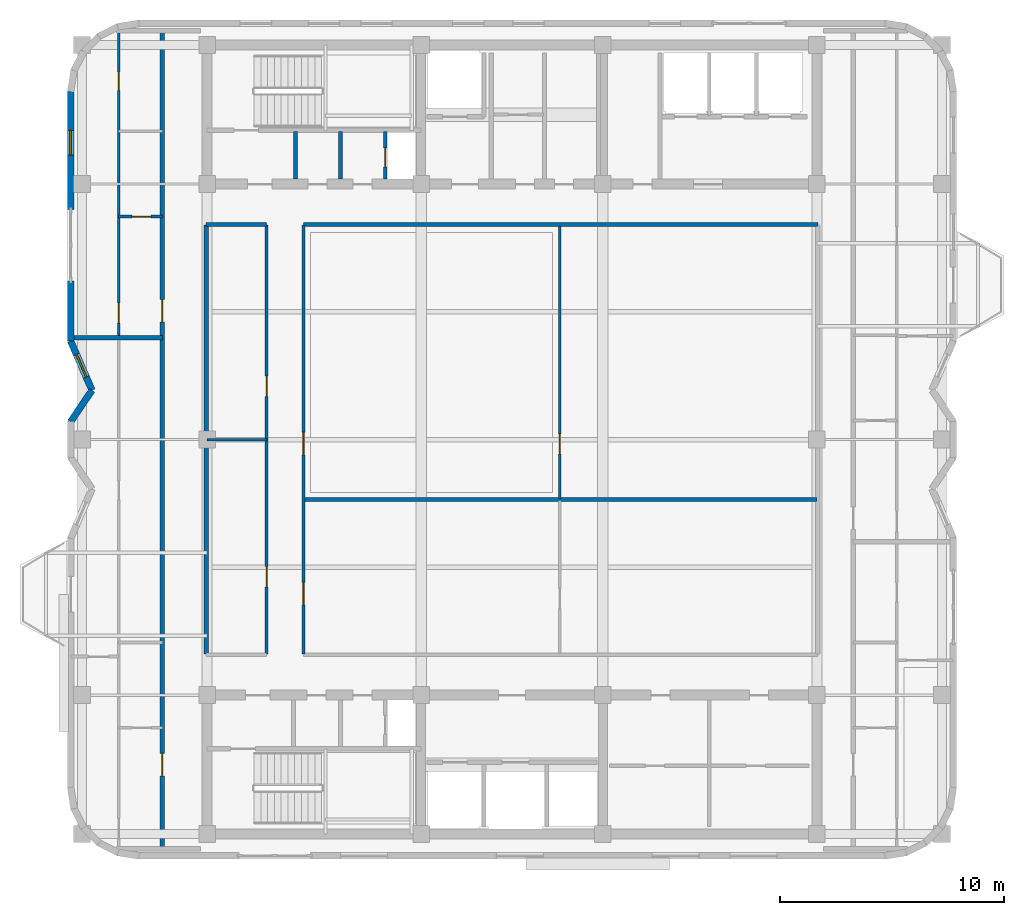
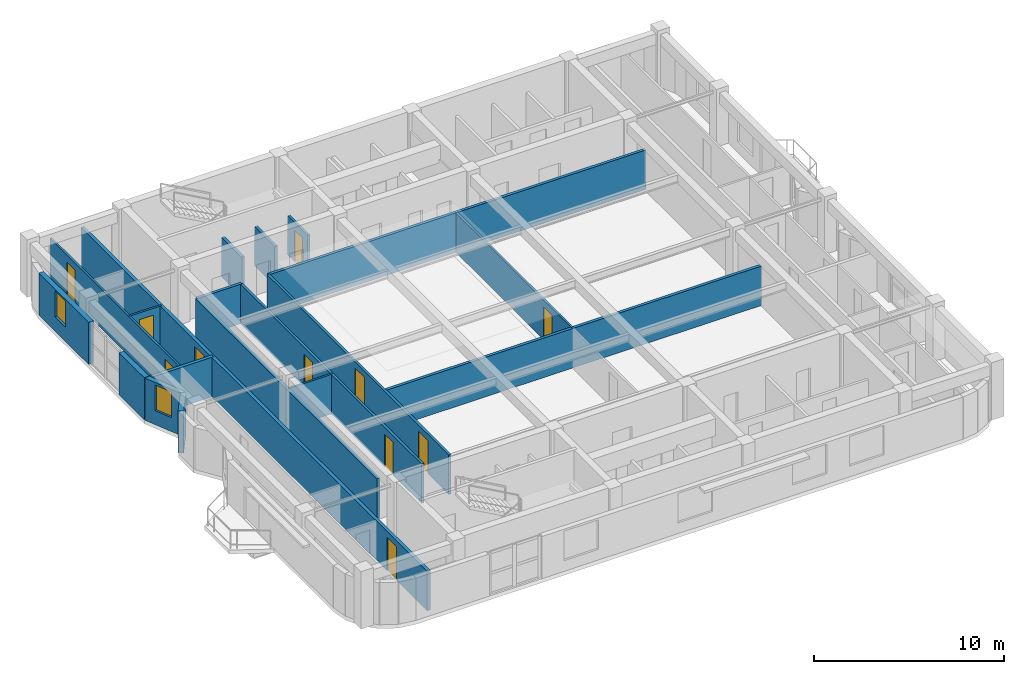
# One storey, part 6 of 11: 19 walls, 11 doors, 2 windows, 13 openings.
"""IFC4 building model written with IfcOpenShell, lengths in metres."""

from ifc_helpers import new_model, si_unit, direction, frame, frame_2d, origin, place, context, subcontext, project, spatial, rectangle, extrude, material, layer, layer_set, type_object, element, fill, save


model = new_model("IFC4")

# Units and contexts
model_context = context("Model", 3, precision=1e-05, world=origin(), true_north=direction((0.0, 1.0)))
body_context = subcontext(model_context, "Body", "Model", "MODEL_VIEW")
ifc_project = project(units=[si_unit("LENGTHUNIT", "METRE"), si_unit("AREAUNIT", "SQUARE_METRE"), si_unit("VOLUMEUNIT", "CUBIC_METRE"), si_unit("PLANEANGLEUNIT", "RADIAN"), si_unit("MASSUNIT", "GRAM", prefix="KILO")], contexts=[model_context])

# Site, building, storey
site_placement = place(None, origin())
site = spatial("IfcSite", under=ifc_project, at=site_placement, CompositionType="ELEMENT")
building_placement = place(site_placement, origin())
building = spatial("IfcBuilding", under=site, at=building_placement, Name="Svetorya Sky Lyceum", CompositionType="ELEMENT")
storey_placement = place(building_placement, frame((0.0, 0.0, 293.5)))
storey = spatial("IfcBuildingStorey", under=building, at=storey_placement, Name="L74", CompositionType="ELEMENT", Elevation=293.5)

# Wall, opening, window
ifc_material_1 = material(Name="Putilovo limestone rainscreen on autoclaved cellular masonry", Category="masonry")
ifc_layer_1 = layer(ifc_material_1, 0.300048828125)
ifc_layer_set_1 = layer_set([ifc_layer_1], Name="Putilovo limestone rainscreen on autoclaved cellular masonry")
wall_type_1 = type_object("IfcWallType", Name="WL-EXT-300", PredefinedType="SOLIDWALL", material=ifc_layer_set_1)
wall_1_placement = place(storey_placement, frame((19.510009765625, 43.719970703125, 0.0), z_axis=(0.0, 0.0, 1.0), x_axis=(0.0, -1.0, 0.0)))
wall_1 = element("IfcWall", 1, at=wall_1_placement, inside=storey, type_object=wall_type_1, Name="L74 Limestone Exterior Wall 30A", PredefinedType="SOLIDWALL", context=body_context, shape_type="SweptSolid", body=[
    extrude(rectangle(XDim=5.25, YDim=0.300048828125, at=frame_2d((2.625, 0.0))), origin(), (0.0, 0.0, 1.0), 2.7099609375),
])
opening_1_placement = place(wall_1_placement, frame((1.72509765625, 0.0, 0.93994140625)))
opening_1 = element("IfcOpeningElement", 2, at=opening_1_placement, cuts=wall_1, Name="Opening W-R3", PredefinedType="OPENING", context=body_context, shape_type="SweptSolid", body=[
    extrude(rectangle(XDim=1.10009765625, YDim=1.64990234375, at=frame_2d((0.550048828125, 0.824951171875))), frame((0.0, 0.159912109375, 0.0), z_axis=(0.0, -1.0, 0.0), x_axis=(1.0, 0.0, 0.0)), (0.0, 0.0, 1.0), 0.320068359375),
])
ifc_material_2 = material(Name="Thermally broken aluminium frame with triple low-E glazing", Category="aluminium")
window_type = type_object("IfcWindowType", Name="WN-RES-110", PartitioningType="SINGLE_PANEL", PredefinedType="WINDOW", material=ifc_material_2)
window_1_placement = place(opening_1_placement, origin())
window_1 = element("IfcWindow", 3, at=window_1_placement, inside=storey, type_object=window_type, Name="L74 Facade Window W-R3.30A.1", OverallHeight=1.64990234375, OverallWidth=1.10009765625, PartitioningType="SINGLE_PANEL", PredefinedType="WINDOW", context=body_context, shape_type="SweptSolid", body=[
    extrude(rectangle(XDim=1.10009765625, YDim=1.64990234375, at=frame_2d((0.550048828125, 0.824951171875))), frame((0.0, 0.030029296875, 0.0), z_axis=(0.0, -1.0, 0.0), x_axis=(1.0, 0.0, 0.0)), (0.0, 0.0, 1.0), 0.06005859375),
])
fill(opening_1, window_1)

# Wall
wall_2_placement = place(storey_placement, frame((19.510009765625, 35.27001953125, 0.0), z_axis=(0.0, 0.0, 1.0), x_axis=(0.0, -1.0, 0.0)))
element("IfcWall", 4, at=wall_2_placement, inside=storey, type_object=wall_type_1, Name="L74 Limestone Exterior Wall 30B", PredefinedType="SOLIDWALL", context=body_context, shape_type="SweptSolid", body=[
    extrude(rectangle(XDim=2.669921875, YDim=0.300048828125, at=frame_2d((1.3349609375, 0.0))), origin(), (0.0, 0.0, 1.0), 2.7099609375),
])

# Wall, opening, window
wall_3_placement = place(storey_placement, frame((19.510009765625, 32.60009765625, 0.0), z_axis=(0.0, 0.0, 1.0), x_axis=(0.396389181543, -0.918082576218, 0.0)))
wall_3 = element("IfcWall", 5, at=wall_3_placement, inside=storey, type_object=wall_type_1, Name="L74 Limestone Exterior Wall 31M", PredefinedType="SOLIDWALL", context=body_context, shape_type="SweptSolid", body=[
    extrude(rectangle(XDim=2.396484375, YDim=0.300048828125, at=frame_2d((1.1982421875, 0.0))), origin(), (0.0, 0.0, 1.0), 2.7099609375),
])
opening_2_placement = place(wall_3_placement, frame((0.648193359375, 0.0, 0.89990234375)))
opening_2 = element("IfcOpeningElement", 6, at=opening_2_placement, cuts=wall_3, Name="Opening W-R3", PredefinedType="OPENING", context=body_context, shape_type="SweptSolid", body=[
    extrude(rectangle(XDim=1.10009765625, YDim=1.64990234375, at=frame_2d((0.550048828125, 0.824951171875))), frame((0.0, 0.159912109375, 0.0), z_axis=(0.0, -1.0, 0.0), x_axis=(1.0, 0.0, 0.0)), (0.0, 0.0, 1.0), 0.320068359375),
])
window_2_placement = place(opening_2_placement, origin())
window_2 = element("IfcWindow", 7, at=window_2_placement, inside=storey, type_object=window_type, Name="L74 Facade Window W-R3.31M.1", OverallHeight=1.64990234375, OverallWidth=1.10009765625, PartitioningType="SINGLE_PANEL", PredefinedType="WINDOW", context=body_context, shape_type="SweptSolid", body=[
    extrude(rectangle(XDim=1.10009765625, YDim=1.64990234375, at=frame_2d((0.550048828125, 0.824951171875))), frame((0.0, 0.030029296875, 0.0), z_axis=(0.0, -1.0, 0.0), x_axis=(1.0, 0.0, 0.0)), (0.0, 0.0, 1.0), 0.06005859375),
])
fill(opening_2, window_2)

# Walls
wall_4_placement = place(storey_placement, frame((20.4599609375, 30.39990234375, 0.0), z_axis=(0.0, 0.0, 1.0), x_axis=(-0.561508476251, -0.827470985049, 0.0)))
element("IfcWall", 8, at=wall_4_placement, inside=storey, type_object=wall_type_1, Name="L74 Limestone Exterior Wall 32M", PredefinedType="SOLIDWALL", context=body_context, shape_type="SweptSolid", body=[
    extrude(rectangle(XDim=1.69189453125, YDim=0.300048828125, at=frame_2d((0.845947265625, 0.0))), origin(), (0.0, 0.0, 1.0), 2.7099609375),
])
ifc_material_3 = material(Name="Twin-stud galvanized framing with double fireboard", Category="gypsum")
ifc_layer_2 = layer(ifc_material_3, 0.1201171875)
ifc_layer_set_2 = layer_set([ifc_layer_2], Name="Twin-stud galvanized framing with double fireboard")
wall_type_2 = type_object("IfcWallType", Name="WL-PART-120", PredefinedType="PARTITIONING", material=ifc_layer_set_2)
wall_5_placement = place(storey_placement, frame((25.60009765625, 28.199951171875, 0.0), z_axis=(0.0, 0.0, 1.0), x_axis=(1.0, 0.0, 0.0)))
element("IfcWall", 9, at=wall_5_placement, inside=storey, type_object=wall_type_2, Name="L74 Interior Partition OFF-HW", PredefinedType="PARTITIONING", context=body_context, shape_type="SweptSolid", body=[
    extrude(rectangle(XDim=2.659912109375, YDim=0.1201171875, at=frame_2d((1.330078125, 0.0))), origin(), (0.0, 0.0, 1.0), 2.5400390625),
])

# Wall, opening, door
wall_6_placement = place(storey_placement, frame((41.3349609375, 25.560302734375, 0.0), z_axis=(0.0, 0.0, 1.0), x_axis=(0.0, 1.0, 0.0)))
wall_6 = element("IfcWall", 10, at=wall_6_placement, inside=storey, type_object=wall_type_2, Name="L74 Interior Partition OFF-VEM2", PredefinedType="PARTITIONING", context=body_context, shape_type="SweptSolid", body=[
    extrude(rectangle(XDim=12.1796875, YDim=0.1201171875, at=frame_2d((6.08984375, 0.0))), origin(), (0.0, 0.0, 1.0), 2.5400390625),
])
opening_3_placement = place(wall_6_placement, frame((2.0, 0.0, 0.0)))
opening_3 = element("IfcOpeningElement", 11, at=opening_3_placement, cuts=wall_6, Name="Opening D-RM1", PredefinedType="OPENING", context=body_context, shape_type="SweptSolid", body=[
    extrude(rectangle(XDim=0.89990234375, YDim=2.10009765625, at=frame_2d((0.449951171875, 1.050048828125))), frame((0.0, 0.070068359375, 0.0), z_axis=(0.0, -1.0, 0.0), x_axis=(1.0, 0.0, 0.0)), (0.0, 0.0, 1.0), 0.14013671875),
])
ifc_material_4 = material(Name="Lacquered birch veneer internal door")
door_type_1 = type_object("IfcDoorType", Name="DR-INT-900", OperationType="SINGLE_SWING_LEFT", PredefinedType="DOOR", material=ifc_material_4)
door_1_placement = place(opening_3_placement, origin())
door_1 = element("IfcDoor", 12, at=door_1_placement, inside=storey, type_object=door_type_1, Name="L74 East Focus Door", OperationType="SINGLE_SWING_RIGHT", OverallHeight=2.10009765625, OverallWidth=0.89990234375, PredefinedType="DOOR", context=body_context, shape_type="SweptSolid", body=[
    extrude(rectangle(XDim=0.89990234375, YDim=2.10009765625, at=frame_2d((0.449951171875, 1.050048828125))), frame((0.0, 0.02490234375, 0.0), z_axis=(0.0, -1.0, 0.0), x_axis=(1.0, 0.0, 0.0)), (0.0, 0.0, 1.0), 0.050048828125),
])
fill(opening_3, door_1)

wall_7_placement = place(storey_placement, frame((21.64990234375, 38.14990234375, 0.0), z_axis=(0.0, 0.0, 1.0), x_axis=(1.0, 0.0, 0.0)))
wall_7 = element("IfcWall", 13, at=wall_7_placement, inside=storey, type_object=wall_type_2, Name="L74 Interior Partition W2-WH1", PredefinedType="PARTITIONING", context=body_context, shape_type="SweptSolid", body=[
    extrude(rectangle(XDim=1.9501953125, YDim=0.1201171875, at=frame_2d((0.97509765625, 0.0))), origin(), (0.0, 0.0, 1.0), 2.5400390625),
])
opening_4_placement = place(wall_7_placement, frame((0.60009765625, 0.0, 0.0)))
opening_4 = element("IfcOpeningElement", 14, at=opening_4_placement, cuts=wall_7, Name="Opening D-BT1", PredefinedType="OPENING", context=body_context, shape_type="SweptSolid", body=[
    extrude(rectangle(XDim=0.85009765625, YDim=2.10009765625, at=frame_2d((0.425048828125, 1.050048828125))), frame((0.0, 0.070068359375, 0.0), z_axis=(0.0, -1.0, 0.0), x_axis=(1.0, 0.0, 0.0)), (0.0, 0.0, 1.0), 0.14013671875),
])
ifc_material_5 = material(Name="Moisture-resistant laminate bathroom door")
door_type_2 = type_object("IfcDoorType", Name="DR-WET-850", OperationType="SINGLE_SWING_LEFT", PredefinedType="DOOR", material=ifc_material_5)
door_2_placement = place(opening_4_placement, origin())
door_2 = element("IfcDoor", 15, at=door_2_placement, inside=storey, type_object=door_type_2, Name="Apartment W2 Bathroom Door", OperationType="SINGLE_SWING_RIGHT", OverallHeight=2.10009765625, OverallWidth=0.85009765625, PredefinedType="DOOR", context=body_context, shape_type="SweptSolid", body=[
    extrude(rectangle(XDim=0.85009765625, YDim=2.10009765625, at=frame_2d((0.425048828125, 1.050048828125))), frame((0.0, 0.02490234375, 0.0), z_axis=(0.0, -1.0, 0.0), x_axis=(1.0, 0.0, 0.0)), (0.0, 0.0, 1.0), 0.050048828125),
])
fill(opening_4, door_2)

# Wall, openings, doors
wall_8_placement = place(storey_placement, frame((21.64990234375, 32.7900390625, 0.0), z_axis=(0.0, 0.0, 1.0), x_axis=(0.0, 1.0, 0.0)))
wall_8 = element("IfcWall", 16, at=wall_8_placement, inside=storey, type_object=wall_type_2, Name="L74 Interior Partition W2-WV", PredefinedType="PARTITIONING", context=body_context, shape_type="SweptSolid", body=[
    extrude(rectangle(XDim=13.619873046875, YDim=0.1201171875, at=frame_2d((6.81005859375, 0.0))), origin(), (0.0, 0.0, 1.0), 2.5400390625),
])
opening_5_placement = place(wall_8_placement, frame((0.610107421875, 0.0, 0.0)))
opening_5 = element("IfcOpeningElement", 17, at=opening_5_placement, cuts=wall_8, Name="Opening D-RM1", PredefinedType="OPENING", context=body_context, shape_type="SweptSolid", body=[
    extrude(rectangle(XDim=0.89990234375, YDim=2.10009765625, at=frame_2d((0.449951171875, 1.050048828125))), frame((0.0, 0.070068359375, 0.0), z_axis=(0.0, -1.0, 0.0), x_axis=(1.0, 0.0, 0.0)), (0.0, 0.0, 1.0), 0.14013671875),
])
opening_6_placement = place(wall_8_placement, frame((10.985107421875, 0.0, 0.0)))
opening_6 = element("IfcOpeningElement", 18, at=opening_6_placement, cuts=wall_8, Name="Opening D-BT2", PredefinedType="OPENING", context=body_context, shape_type="SweptSolid", body=[
    extrude(rectangle(XDim=0.820068359375, YDim=2.080078125, at=frame_2d((0.41015625, 1.0400390625))), frame((0.0, 0.070068359375, 0.0), z_axis=(0.0, -1.0, 0.0), x_axis=(1.0, 0.0, 0.0)), (0.0, 0.0, 1.0), 0.14013671875),
])
door_3_placement = place(opening_5_placement, origin())
door_3 = element("IfcDoor", 19, at=door_3_placement, inside=storey, type_object=door_type_1, Name="Apartment W2 Living Door", OperationType="SINGLE_SWING_LEFT", OverallHeight=2.10009765625, OverallWidth=0.89990234375, PredefinedType="DOOR", context=body_context, shape_type="SweptSolid", body=[
    extrude(rectangle(XDim=0.89990234375, YDim=2.10009765625, at=frame_2d((0.449951171875, 1.050048828125))), frame((0.0, 0.02490234375, 0.0), z_axis=(0.0, -1.0, 0.0), x_axis=(1.0, 0.0, 0.0)), (0.0, 0.0, 1.0), 0.050048828125),
])
fill(opening_5, door_3)
ifc_material_6 = material(Name="Compact moisture-resistant laminate closet door")
door_type_3 = type_object("IfcDoorType", Name="DR-WET-820", OperationType="SINGLE_SWING_LEFT", PredefinedType="DOOR", material=ifc_material_6)
door_4_placement = place(opening_6_placement, origin())
door_4 = element("IfcDoor", 20, at=door_4_placement, inside=storey, type_object=door_type_3, Name="Apartment W2 Study Door", OperationType="SINGLE_SWING_RIGHT", OverallHeight=2.080078125, OverallWidth=0.820068359375, PredefinedType="DOOR", context=body_context, shape_type="SweptSolid", body=[
    extrude(rectangle(XDim=0.820068359375, YDim=2.080078125, at=frame_2d((0.41015625, 1.0400390625))), frame((0.0, 0.02490234375, 0.0), z_axis=(0.0, -1.0, 0.0), x_axis=(1.0, 0.0, 0.0)), (0.0, 0.0, 1.0), 0.050048828125),
])
fill(opening_6, door_4)

# Wall, opening, door
ifc_material_7 = material(Name="Autoclaved cellular masonry blockwork with acoustic render", Category="masonry")
ifc_layer_3 = layer(ifc_material_7, 0.14990234375)
ifc_layer_set_3 = layer_set([ifc_layer_3], Name="Autoclaved cellular masonry blockwork with acoustic render")
wall_type_3 = type_object("IfcWallType", Name="WL-PART-150", PredefinedType="PARTITIONING", material=ifc_layer_set_3)
wall_9_placement = place(storey_placement, frame((33.550048828125, 39.820068359375, 0.0), z_axis=(0.0, 0.0, 1.0), x_axis=(0.0, 1.0, 0.0)))
wall_9 = element("IfcWall", 21, at=wall_9_placement, inside=storey, type_object=wall_type_3, Name="L74 Interior Partition NC-RSRW", PredefinedType="PARTITIONING", context=body_context, shape_type="SweptSolid", body=[
    extrude(rectangle(XDim=2.1298828125, YDim=0.14990234375, at=frame_2d((1.06494140625, 0.0))), origin(), (0.0, 0.0, 1.0), 2.5400390625),
])
opening_7_placement = place(wall_9_placement, frame((0.550048828125, 0.0, 0.0)))
opening_7 = element("IfcOpeningElement", 22, at=opening_7_placement, cuts=wall_9, Name="Opening D-SH1", PredefinedType="OPENING", context=body_context, shape_type="SweptSolid", body=[
    extrude(rectangle(XDim=0.85009765625, YDim=2.050048828125, at=frame_2d((0.425048828125, 1.02490234375))), frame((0.0, 0.0849609375, 0.0), z_axis=(0.0, -1.0, 0.0), x_axis=(1.0, 0.0, 0.0)), (0.0, 0.0, 1.0), 0.169921875),
])
ifc_material_8 = material(Name="Insulated galvanized riser inspection fire door")
door_type_4 = type_object("IfcDoorType", Name="DR-SHFT-850", OperationType="SINGLE_SWING_LEFT", PredefinedType="TRAPDOOR", material=ifc_material_8)
door_5_placement = place(opening_7_placement, origin())
door_5 = element("IfcDoor", 23, at=door_5_placement, inside=storey, type_object=door_type_4, Name="L74 North Riser Access Door", OperationType="SINGLE_SWING_LEFT", OverallHeight=2.050048828125, OverallWidth=0.85009765625, PredefinedType="TRAPDOOR", context=body_context, shape_type="SweptSolid", body=[
    extrude(rectangle(XDim=0.85009765625, YDim=2.050048828125, at=frame_2d((0.425048828125, 1.02490234375))), frame((0.0, 0.02490234375, 0.0), z_axis=(0.0, -1.0, 0.0), x_axis=(1.0, 0.0, 0.0)), (0.0, 0.0, 1.0), 0.050048828125),
])
fill(opening_7, door_5)

# Wall, openings, doors
wall_10_placement = place(storey_placement, frame((28.25, 18.6298828125, 0.0), z_axis=(0.0, 0.0, 1.0), x_axis=(0.0, 1.0, 0.0)))
wall_10 = element("IfcWall", 24, at=wall_10_placement, inside=storey, type_object=wall_type_3, Name="L74 Interior Partition OFF-VW", PredefinedType="PARTITIONING", context=body_context, shape_type="SweptSolid", body=[
    extrude(rectangle(XDim=19.14013671875, YDim=0.14990234375, at=frame_2d((9.570068359375, 0.0))), origin(), (0.0, 0.0, 1.0), 2.5400390625),
])
opening_8_placement = place(wall_10_placement, frame((3.0, 0.0, 0.0)))
opening_8 = element("IfcOpeningElement", 25, at=opening_8_placement, cuts=wall_10, Name="Opening D-RM1", PredefinedType="OPENING", context=body_context, shape_type="SweptSolid", body=[
    extrude(rectangle(XDim=0.89990234375, YDim=2.10009765625, at=frame_2d((0.449951171875, 1.050048828125))), frame((0.0, 0.0849609375, 0.0), z_axis=(0.0, -1.0, 0.0), x_axis=(1.0, 0.0, 0.0)), (0.0, 0.0, 1.0), 0.169921875),
])
opening_9_placement = place(wall_10_placement, frame((11.5, 0.0, 0.0)))
opening_9 = element("IfcOpeningElement", 26, at=opening_9_placement, cuts=wall_10, Name="Opening D-RM1", PredefinedType="OPENING", context=body_context, shape_type="SweptSolid", body=[
    extrude(rectangle(XDim=0.89990234375, YDim=2.10009765625, at=frame_2d((0.449951171875, 1.050048828125))), frame((0.0, 0.0849609375, 0.0), z_axis=(0.0, -1.0, 0.0), x_axis=(1.0, 0.0, 0.0)), (0.0, 0.0, 1.0), 0.169921875),
])
door_6_placement = place(opening_8_placement, origin())
door_6 = element("IfcDoor", 27, at=door_6_placement, inside=storey, type_object=door_type_1, Name="L74 Study Door", OperationType="SINGLE_SWING_LEFT", OverallHeight=2.10009765625, OverallWidth=0.89990234375, PredefinedType="DOOR", context=body_context, shape_type="SweptSolid", body=[
    extrude(rectangle(XDim=0.89990234375, YDim=2.10009765625, at=frame_2d((0.449951171875, 1.050048828125))), frame((0.0, 0.02490234375, 0.0), z_axis=(0.0, -1.0, 0.0), x_axis=(1.0, 0.0, 0.0)), (0.0, 0.0, 1.0), 0.050048828125),
])
fill(opening_8, door_6)
door_7_placement = place(opening_9_placement, origin())
door_7 = element("IfcDoor", 28, at=door_7_placement, inside=storey, type_object=door_type_1, Name="L74 Focus Door", OperationType="SINGLE_SWING_RIGHT", OverallHeight=2.10009765625, OverallWidth=0.89990234375, PredefinedType="DOOR", context=body_context, shape_type="SweptSolid", body=[
    extrude(rectangle(XDim=0.89990234375, YDim=2.10009765625, at=frame_2d((0.449951171875, 1.050048828125))), frame((0.0, 0.02490234375, 0.0), z_axis=(0.0, -1.0, 0.0), x_axis=(1.0, 0.0, 0.0)), (0.0, 0.0, 1.0), 0.050048828125),
])
fill(opening_9, door_7)

wall_11_placement = place(storey_placement, frame((29.89990234375, 18.6298828125, 0.0), z_axis=(0.0, 0.0, 1.0), x_axis=(0.0, 1.0, 0.0)))
wall_11 = element("IfcWall", 29, at=wall_11_placement, inside=storey, type_object=wall_type_3, Name="L74 Interior Partition OFF-VE", PredefinedType="PARTITIONING", context=body_context, shape_type="SweptSolid", body=[
    extrude(rectangle(XDim=19.14013671875, YDim=0.14990234375, at=frame_2d((9.570068359375, 0.0))), origin(), (0.0, 0.0, 1.0), 2.5400390625),
])
opening_10_placement = place(wall_11_placement, frame((2.199951171875, 0.0, 0.0)))
opening_10 = element("IfcOpeningElement", 30, at=opening_10_placement, cuts=wall_11, Name="Opening D-RM2", PredefinedType="OPENING", context=body_context, shape_type="SweptSolid", body=[
    extrude(rectangle(XDim=1.0, YDim=2.14990234375, at=frame_2d((0.5, 1.074951171875))), frame((0.0, 0.0849609375, 0.0), z_axis=(0.0, -1.0, 0.0), x_axis=(1.0, 0.0, 0.0)), (0.0, 0.0, 1.0), 0.169921875),
])
opening_11_placement = place(wall_11_placement, frame((8.890380859375, 0.0, 0.0)))
opening_11 = element("IfcOpeningElement", 31, at=opening_11_placement, cuts=wall_11, Name="Opening D-RM2", PredefinedType="OPENING", context=body_context, shape_type="SweptSolid", body=[
    extrude(rectangle(XDim=1.0, YDim=2.14990234375, at=frame_2d((0.5, 1.074951171875))), frame((0.0, 0.0849609375, 0.0), z_axis=(0.0, -1.0, 0.0), x_axis=(1.0, 0.0, 0.0)), (0.0, 0.0, 1.0), 0.169921875),
])
ifc_material_9 = material(Name="Solid-core oak acoustic room door")
door_type_5 = type_object("IfcDoorType", Name="DR-INT-1000", OperationType="SINGLE_SWING_LEFT", PredefinedType="DOOR", material=ifc_material_9)
door_8_placement = place(opening_10_placement, origin())
door_8 = element("IfcDoor", 32, at=door_8_placement, inside=storey, type_object=door_type_5, Name="L74 Meeting Door", OperationType="SINGLE_SWING_RIGHT", OverallHeight=2.14990234375, OverallWidth=1.0, PredefinedType="DOOR", context=body_context, shape_type="SweptSolid", body=[
    extrude(rectangle(XDim=1.0, YDim=2.14990234375, at=frame_2d((0.5, 1.074951171875))), frame((0.0, 0.02490234375, 0.0), z_axis=(0.0, -1.0, 0.0), x_axis=(1.0, 0.0, 0.0)), (0.0, 0.0, 1.0), 0.050048828125),
])
fill(opening_10, door_8)
door_9_placement = place(opening_11_placement, origin())
door_9 = element("IfcDoor", 33, at=door_9_placement, inside=storey, type_object=door_type_5, Name="L74 North Room Door", OperationType="SINGLE_SWING_LEFT", OverallHeight=2.14990234375, OverallWidth=1.0, PredefinedType="DOOR", context=body_context, shape_type="SweptSolid", body=[
    extrude(rectangle(XDim=1.0, YDim=2.14990234375, at=frame_2d((0.5, 1.074951171875))), frame((0.0, 0.02490234375, 0.0), z_axis=(0.0, -1.0, 0.0), x_axis=(1.0, 0.0, 0.0)), (0.0, 0.0, 1.0), 0.050048828125),
])
fill(opening_11, door_9)

# Walls
ifc_material_10 = material(Name="Autoclaved cellular masonry blockwork with fire render", Category="masonry")
ifc_layer_4 = layer(ifc_material_10, 0.175048828125)
ifc_layer_set_4 = layer_set([ifc_layer_4], Name="Autoclaved cellular masonry blockwork with fire render")
wall_type_4 = type_object("IfcWallType", Name="WL-PART-175", PredefinedType="PARTITIONING", material=ifc_layer_set_4)
for number, where, z_axis, x_axis, name in (
    (34, (29.550048828125, 39.820068359375, 0.0), (0.0, 0.0, 1.0), (0.0, 1.0, 0.0), "L74 Interior Partition NC-NWD1"),
    (35, (31.550048828125, 39.820068359375, 0.0), (0.0, 0.0, 1.0), (0.0, 1.0, 0.0), "L74 Interior Partition NC-NWD2"),
):
    element("IfcWall", number, at=place(storey_placement, frame(where, z_axis=z_axis, x_axis=x_axis)), inside=storey, type_object=wall_type_4, Name=name, PredefinedType="PARTITIONING", context=body_context, shape_type="SweptSolid", body=[
        extrude(rectangle(XDim=2.1298828125, YDim=0.175048828125, at=frame_2d((1.06494140625, 0.0))), origin(), (0.0, 0.0, 1.0), 2.5400390625),
    ])
wall_12_placement = place(storey_placement, frame((25.550048828125, 37.800048828125, 0.0), z_axis=(0.0, 0.0, 1.0), x_axis=(1.0, 0.0, 0.0)))
element("IfcWall", 36, at=wall_12_placement, inside=storey, type_object=wall_type_4, Name="L74 Interior Partition OFF-CN-W", PredefinedType="PARTITIONING", context=body_context, shape_type="SweptSolid", body=[
    extrude(rectangle(XDim=2.699951171875, YDim=0.175048828125, at=frame_2d((1.35009765625, 0.0))), origin(), (0.0, 0.0, 1.0), 2.5400390625),
])
wall_13_placement = place(storey_placement, frame((29.89990234375, 37.800048828125, 0.0), z_axis=(0.0, 0.0, 1.0), x_axis=(1.0, 0.0, 0.0)))
element("IfcWall", 37, at=wall_13_placement, inside=storey, type_object=wall_type_4, Name="L74 Interior Partition OFF-CN-E", PredefinedType="PARTITIONING", context=body_context, shape_type="SweptSolid", body=[
    extrude(rectangle(XDim=22.9501953125, YDim=0.175048828125, at=frame_2d((11.47509765625, 0.0))), origin(), (0.0, 0.0, 1.0), 2.5400390625),
])
wall_14_placement = place(storey_placement, frame((29.929931640625, 25.5205078125, 0.0), z_axis=(0.0, 0.0, 1.0), x_axis=(1.0, 0.0, 0.0)))
element("IfcWall", 38, at=wall_14_placement, inside=storey, type_object=wall_type_4, Name="L74 Interior Partition OFF-HE", PredefinedType="PARTITIONING", context=body_context, shape_type="SweptSolid", body=[
    extrude(rectangle(XDim=22.8701171875, YDim=0.175048828125, at=frame_2d((11.43505859375, 0.0))), origin(), (0.0, 0.0, 1.0), 2.5400390625),
])
ifc_material_11 = material(Name="Autoclaved cellular masonry blockwork with gypsum plaster", Category="masonry")
ifc_layer_5 = layer(ifc_material_11, 0.199951171875)
ifc_layer_set_5 = layer_set([ifc_layer_5], Name="Autoclaved cellular masonry blockwork with gypsum plaster")
wall_type_5 = type_object("IfcWallType", Name="WL-PART-200", PredefinedType="PARTITIONING", material=ifc_layer_set_5)
wall_15_placement = place(storey_placement, frame((25.550048828125, 18.6298828125, 0.0), z_axis=(0.0, 0.0, 1.0), x_axis=(0.0, 1.0, 0.0)))
element("IfcWall", 39, at=wall_15_placement, inside=storey, type_object=wall_type_5, Name="L74 Interior Partition W-CEN-SEP", PredefinedType="PARTITIONING", context=body_context, shape_type="SweptSolid", body=[
    extrude(rectangle(XDim=19.14013671875, YDim=0.199951171875, at=frame_2d((9.570068359375, 0.0))), origin(), (0.0, 0.0, 1.0), 2.5400390625),
])
wall_16_placement = place(storey_placement, frame((19.530029296875, 32.75, 0.0), z_axis=(0.0, 0.0, 1.0), x_axis=(1.0, 0.0, 0.0)))
element("IfcWall", 40, at=wall_16_placement, inside=storey, type_object=wall_type_5, Name="L74 Interior Partition W-PARTY-1", PredefinedType="PARTITIONING", context=body_context, shape_type="SweptSolid", body=[
    extrude(rectangle(XDim=4.070068359375, YDim=0.199951171875, at=frame_2d((2.03515625, 0.0))), origin(), (0.0, 0.0, 1.0), 2.5400390625),
])

# Wall, openings, doors
wall_17_placement = place(storey_placement, frame((23.60009765625, 9.949951171875, 0.0), z_axis=(0.0, 0.0, 1.0), x_axis=(0.0, 1.0, 0.0)))
wall_17 = element("IfcWall", 41, at=wall_17_placement, inside=storey, type_object=wall_type_5, Name="L74 Interior Partition W-CORRW", PredefinedType="PARTITIONING", context=body_context, shape_type="SweptSolid", body=[
    extrude(rectangle(XDim=36.5, YDim=0.199951171875, at=frame_2d((18.25, 0.0))), origin(), (0.0, 0.0, 1.0), 2.5400390625),
])
opening_12_placement = place(wall_17_placement, frame((3.25, 0.0, 0.0)))
opening_12 = element("IfcOpeningElement", 42, at=opening_12_placement, cuts=wall_17, Name="Opening D-APT1", PredefinedType="OPENING", context=body_context, shape_type="SweptSolid", body=[
    extrude(rectangle(XDim=1.0, YDim=2.14990234375, at=frame_2d((0.5, 1.074951171875))), frame((0.0, 0.10986328125, 0.0), z_axis=(0.0, -1.0, 0.0), x_axis=(1.0, 0.0, 0.0)), (0.0, 0.0, 1.0), 0.219970703125),
])
opening_13_placement = place(wall_17_placement, frame((23.5, 0.0, 0.0)))
opening_13 = element("IfcOpeningElement", 43, at=opening_13_placement, cuts=wall_17, Name="Opening D-APT1", PredefinedType="OPENING", context=body_context, shape_type="SweptSolid", body=[
    extrude(rectangle(XDim=1.0, YDim=2.14990234375, at=frame_2d((0.5, 1.074951171875))), frame((0.0, 0.10986328125, 0.0), z_axis=(0.0, -1.0, 0.0), x_axis=(1.0, 0.0, 0.0)), (0.0, 0.0, 1.0), 0.219970703125),
])
ifc_material_12 = material(Name="Insulated oak-veneered apartment entrance door")
door_type_6 = type_object("IfcDoorType", Name="DR-APT-1000", OperationType="SINGLE_SWING_LEFT", PredefinedType="DOOR", material=ifc_material_12)
door_10_placement = place(opening_12_placement, origin())
door_10 = element("IfcDoor", 44, at=door_10_placement, inside=storey, type_object=door_type_6, Name="L74 Apartment W1 Entrance Door", OperationType="SINGLE_SWING_LEFT", OverallHeight=2.14990234375, OverallWidth=1.0, PredefinedType="DOOR", context=body_context, shape_type="SweptSolid", body=[
    extrude(rectangle(XDim=1.0, YDim=2.14990234375, at=frame_2d((0.5, 1.074951171875))), frame((0.0, 0.02490234375, 0.0), z_axis=(0.0, -1.0, 0.0), x_axis=(1.0, 0.0, 0.0)), (0.0, 0.0, 1.0), 0.050048828125),
])
fill(opening_12, door_10)
door_11_placement = place(opening_13_placement, origin())
door_11 = element("IfcDoor", 45, at=door_11_placement, inside=storey, type_object=door_type_6, Name="L74 Apartment W2 Entrance Door", OperationType="SINGLE_SWING_RIGHT", OverallHeight=2.14990234375, OverallWidth=1.0, PredefinedType="DOOR", context=body_context, shape_type="SweptSolid", body=[
    extrude(rectangle(XDim=1.0, YDim=2.14990234375, at=frame_2d((0.5, 1.074951171875))), frame((0.0, 0.02490234375, 0.0), z_axis=(0.0, -1.0, 0.0), x_axis=(1.0, 0.0, 0.0)), (0.0, 0.0, 1.0), 0.050048828125),
])
fill(opening_13, door_11)

save(model, "model.ifc")
